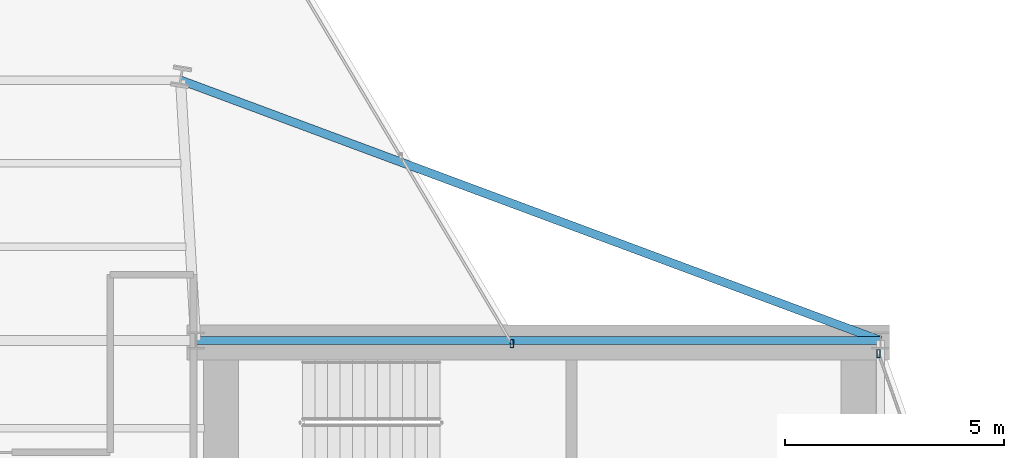
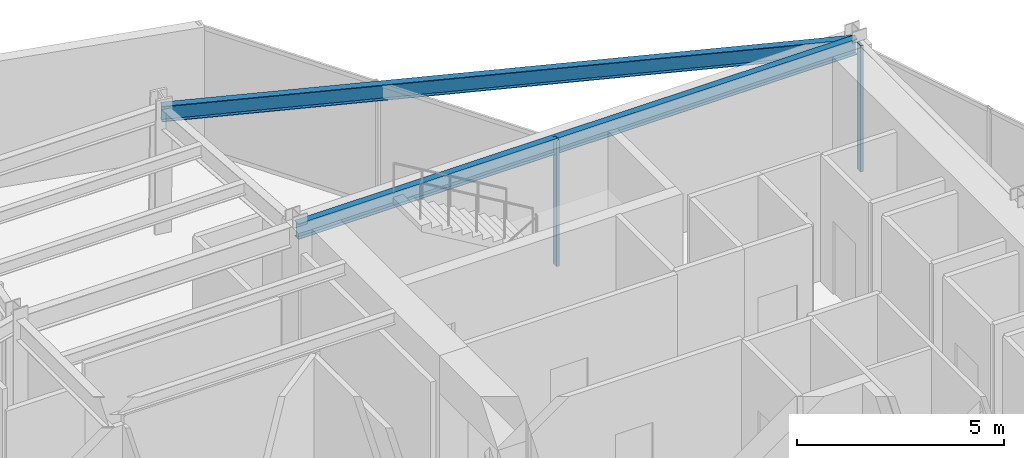
# One storey, part 16 of 23: 2 beams, 2 members, 2 elements without a shape of their own.
"""IFC4 building model written with IfcOpenShell, lengths in metres."""

from ifc_helpers import new_model, si_unit, direction, frame, origin, origin_2d, place, context, subcontext, project, spatial, hollow_rectangle, i_section, extrude, material, layer, layer_set, material_profile, profile_set, type_object, element, aggregate, save


model = new_model("IFC4")

# Units and contexts
model_context = context("Model", 3, precision=1e-05, world=origin(), true_north=direction((0.0, 1.0)))
body_context = subcontext(model_context, "Body", "Model", "MODEL_VIEW")
ifc_project = project(units=[si_unit("LENGTHUNIT", "METRE"), si_unit("AREAUNIT", "SQUARE_METRE"), si_unit("VOLUMEUNIT", "CUBIC_METRE"), si_unit("PLANEANGLEUNIT", "RADIAN"), si_unit("MASSUNIT", "GRAM", prefix="KILO")], contexts=[model_context])

# Site, building, storey
site_placement = place(None, origin())
site = spatial("IfcSite", under=ifc_project, at=site_placement, CompositionType="ELEMENT")
building_placement = place(site_placement, origin())
building = spatial("IfcBuilding", under=site, at=building_placement, Name="Veymaron Broadcast Tower", CompositionType="ELEMENT")
storey_placement = place(building_placement, frame((0.0, 0.0, 177.60009765625)))
storey = spatial("IfcBuildingStorey", under=building, at=storey_placement, Name="L41", CompositionType="ELEMENT", Elevation=177.60009765625)

# Beams
ifc_material_1 = material(Name="Structural steel ASTM A992 Gr 50", Category="steel")
ifc_material_profile_1 = material_profile(ifc_material_1, i_section(OverallWidth=0.19091796875, OverallDepth=0.4599609375, WebThickness=0.010009765625, FlangeThickness=0.01611328125, at=origin_2d()), Name="W460X82")
ifc_profile_set_1 = profile_set([ifc_material_profile_1], Name="Structural steel ASTM A992 Gr 50")
beam_type = type_object("IfcBeamType", Name="BM-SP1", PredefinedType="SPANDREL", material=ifc_profile_set_1)
beam_1_placement = place(storey_placement, frame((39.0, 32.0, 3.5), z_axis=(1.0, 0.0, 0.0), x_axis=(0.0, 1.0, 0.0)))
element("IfcBeam", 1, at=beam_1_placement, inside=storey, type_object=beam_type, Name="L41 primary structural floor girder", PredefinedType="SPANDREL", context=body_context, shape_type="SweptSolid", body=[
    extrude(i_section(OverallWidth=0.19091796875, OverallDepth=0.4599609375, WebThickness=0.010009765625, FlangeThickness=0.01611328125, at=origin_2d()), origin(), (0.0, 0.0, 1.0), 15.60009765625),
])
beam_2_placement = place(storey_placement, frame((54.60009765625, 32.0, 3.5), z_axis=(-0.937281723064, 0.348572763723, 0.0), x_axis=(-0.348572763723, -0.937281723064, 0.0)))
element("IfcBeam", 2, at=beam_2_placement, inside=storey, type_object=beam_type, Name="L41 primary structural floor girder", PredefinedType="SPANDREL", context=body_context, shape_type="SweptSolid", body=[
    extrude(i_section(OverallWidth=0.19091796875, OverallDepth=0.4599609375, WebThickness=0.010009765625, FlangeThickness=0.01611328125, at=origin_2d()), origin(), (0.0, 0.0, 1.0), 17.011962890625),
])

# Curtain wall, member
ifc_material_2 = material(Name="Anodised aluminium AA 6063-T6 and laminated low-E dark glass", Category="aluminium")
ifc_layer = layer(ifc_material_2, 0.179931640625)
ifc_layer_set = layer_set([ifc_layer], Name="Anodised aluminium AA 6063-T6 and laminated low-E dark glass")
curtain_wall_type = type_object("IfcCurtainWallType", Name="CW-SYS-03", PredefinedType="NOTDEFINED", material=ifc_layer_set)
curtain_wall_1_placement = place(storey_placement, origin())
curtain_wall_1 = element("IfcCurtainWall", 3, at=curtain_wall_1_placement, inside=storey, type_object=curtain_wall_type, Name="L41 dark-glass curtain wall CW-L41-E3-1", PredefinedType="NOTDEFINED")
ifc_material_3 = material(Name="Anodised aluminium AA 6063-T6", Category="aluminium")
ifc_material_profile_2 = material_profile(ifc_material_3, hollow_rectangle(XDim=0.074951171875, YDim=0.179931640625, WallThickness=0.0048828125, at=origin_2d()), Name="AL180X75X5")
ifc_profile_set_2 = profile_set([ifc_material_profile_2], Name="Anodised aluminium AA 6063-T6")
member_type = type_object("IfcMemberType", Name="CW-MUL-02", PredefinedType="MULLION", material=ifc_profile_set_2)
member_1_placement = place(storey_placement, frame((54.556396484375, 31.7021484375, 0.0), z_axis=(0.0, 0.0, 1.0), x_axis=(1.0, 0.0, 0.0)))
member_1 = element("IfcMember", 4, at=member_1_placement, type_object=member_type, Name="CW-L41-E3-1 mullion 2", PredefinedType="MULLION", context=body_context, shape_type="SweptSolid", body=[
    extrude(hollow_rectangle(XDim=0.074951171875, YDim=0.179931640625, WallThickness=0.0048828125, at=origin_2d()), origin(), (0.0, 0.0, 1.0), 3.72998046875),
])
aggregate(curtain_wall_1, [member_1])

curtain_wall_2_placement = place(storey_placement, origin())
curtain_wall_2 = element("IfcCurtainWall", 5, at=curtain_wall_2_placement, inside=storey, type_object=curtain_wall_type, Name="L41 dark-glass curtain wall CW-L41-E5-1", PredefinedType="NOTDEFINED")
member_2_placement = place(storey_placement, frame((46.203857421875, 31.928466796875, 0.0), z_axis=(0.0, 0.0, 1.0), x_axis=(1.0, 0.0, 0.0)))
member_2 = element("IfcMember", 6, at=member_2_placement, type_object=member_type, Name="CW-L41-E5-1 mullion 0", PredefinedType="MULLION", context=body_context, shape_type="SweptSolid", body=[
    extrude(hollow_rectangle(XDim=0.074951171875, YDim=0.179931640625, WallThickness=0.0048828125, at=origin_2d()), origin(), (0.0, 0.0, 1.0), 3.72998046875),
])
aggregate(curtain_wall_2, [member_2])

save(model, "model.ifc")
